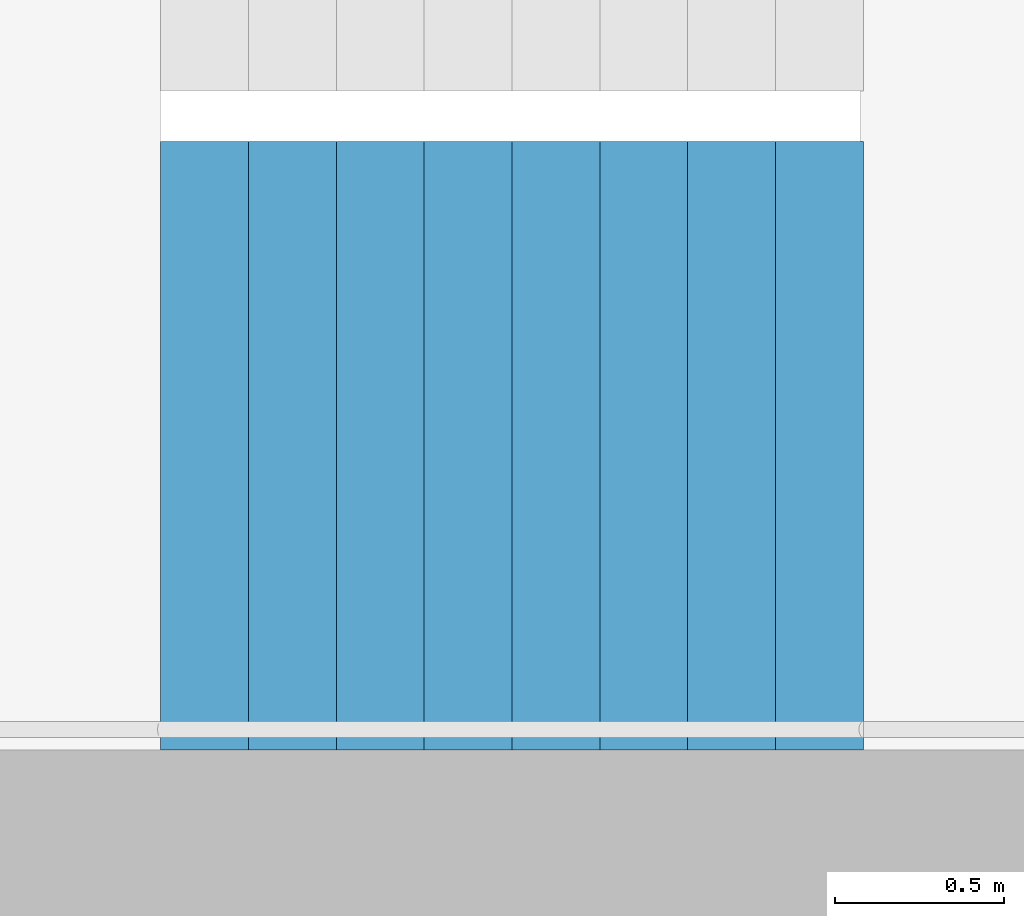
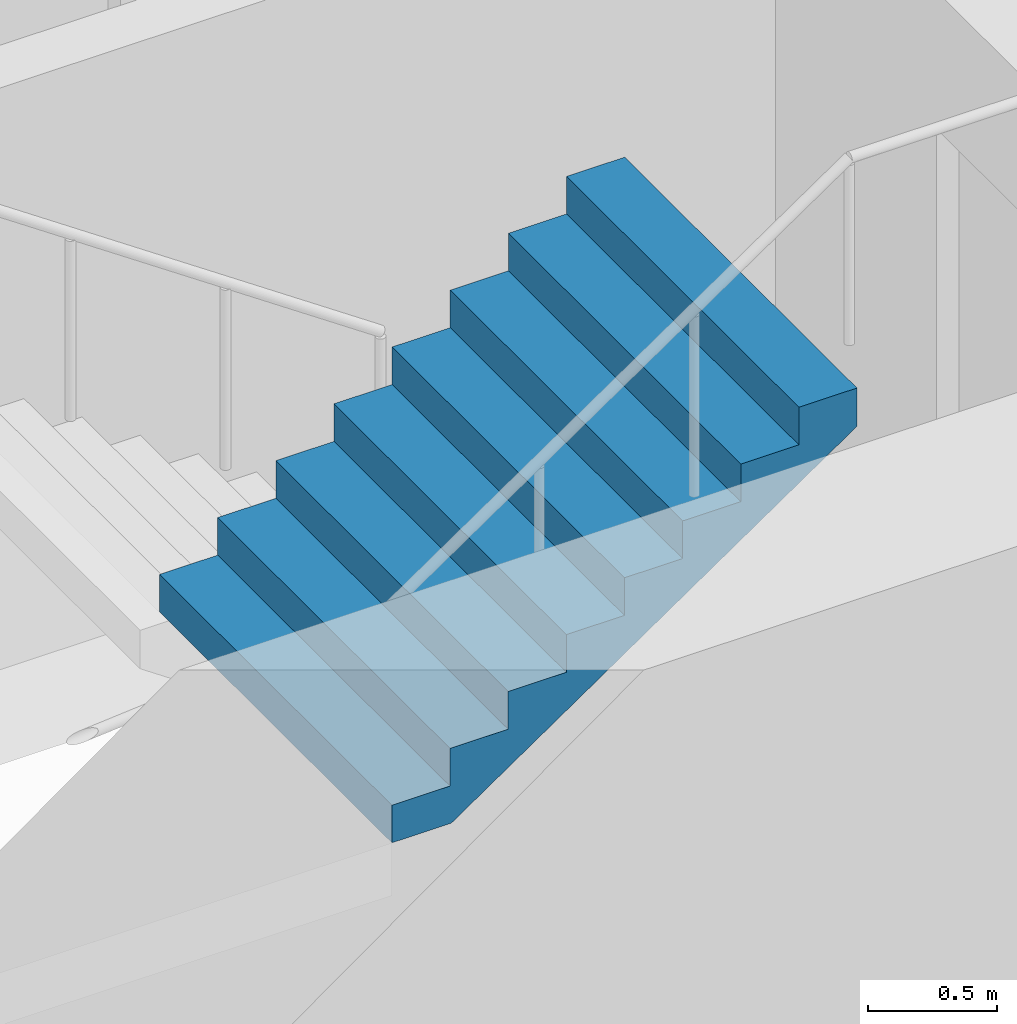
# One storey, part 18 of 26: 1 stair flight, 1 element without a shape of its own.
"""IFC4 building model written with IfcOpenShell, lengths in metres."""

from ifc_helpers import new_model, si_unit, direction, frame, origin, place, context, subcontext, project, spatial, triangles, material, type_object, element, aggregate, save


model = new_model("IFC4")

# Units and contexts
model_context = context("Model", 3, precision=1e-05, world=origin(), true_north=direction((0.0, 1.0)))
body_context = subcontext(model_context, "Body", "Model", "MODEL_VIEW")
ifc_project = project(units=[si_unit("LENGTHUNIT", "METRE"), si_unit("AREAUNIT", "SQUARE_METRE"), si_unit("VOLUMEUNIT", "CUBIC_METRE"), si_unit("PLANEANGLEUNIT", "RADIAN"), si_unit("MASSUNIT", "GRAM", prefix="KILO")], contexts=[model_context])

# Site, building, storey
site_placement = place(None, origin())
site = spatial("IfcSite", under=ifc_project, at=site_placement, CompositionType="ELEMENT")
building_placement = place(site_placement, origin())
building = spatial("IfcBuilding", under=site, at=building_placement, Name="Hakoniwa Tower and Hamabe Station Hall", CompositionType="ELEMENT")
storey_placement = place(building_placement, frame((0.0, 0.0, 251.800048828125)))
storey = spatial("IfcBuildingStorey", under=building, at=storey_placement, Name="L71", CompositionType="ELEMENT", Elevation=251.800048828125)

# Stair, stair flight
ifc_material_1 = material(Name="Concrete C40", Category="concrete")
stair_type = type_object("IfcStairType", Name="ESCAPE STAIR 1800", PredefinedType="HALF_TURN_STAIR", material=ifc_material_1)
stair_placement = place(storey_placement, origin())
stair = element("IfcStair", 1, at=stair_placement, inside=storey, type_object=stair_type, Name="Escape stair ST-2 L71", PredefinedType="HALF_TURN_STAIR")
ifc_material_2 = material(Name="Concrete C40", Category="concrete")
stair_flight_type = type_object("IfcStairFlightType", Name="STAIR FLIGHT 1800", PredefinedType="STRAIGHT", material=ifc_material_2)
stair_flight_placement = place(storey_placement, frame((-25.47998046875, -6.60009765625, 1.599853515625), z_axis=(0.0, 0.0, 1.0), x_axis=(1.0, 0.0, 0.0)))
stair_flight = element("IfcStairFlight", 2, at=stair_flight_placement, type_object=stair_flight_type, Name="ST-2 flight 2", NumberOfRisers=9, NumberOfTreads=8, PredefinedType="STRAIGHT", RiserHeight=0.177777778, TreadLength=0.26, context=body_context, shape_type="Tessellation", body=[
    triangles([(0.0, 0.89990234375, 0.0), (0.260009765625, 0.89990234375, 0.0), (0.265625, 0.89990234375, 0.0), (0.52001953125, 0.89990234375, 0.174072265625), (0.780029296875, 0.89990234375, 0.351806640625), (1.0400390625, 0.89990234375, 0.529541015625), (1.300048828125, 0.89990234375, 0.707275390625), (1.56005859375, 0.89990234375, 0.885009765625), (1.820068359375, 0.89990234375, 1.062744140625), (2.080078125, 0.89990234375, 1.24072265625), (2.080078125, 0.89990234375, 1.422119140625), (1.820068359375, 0.89990234375, 1.422119140625), (1.820068359375, 0.89990234375, 1.244384765625), (1.56005859375, 0.89990234375, 1.244384765625), (1.56005859375, 0.89990234375, 1.066650390625), (1.300048828125, 0.89990234375, 1.066650390625), (1.300048828125, 0.89990234375, 0.888916015625), (1.0400390625, 0.89990234375, 0.888916015625), (1.0400390625, 0.89990234375, 0.711181640625), (0.780029296875, 0.89990234375, 0.711181640625), (0.780029296875, 0.89990234375, 0.533447265625), (0.52001953125, 0.89990234375, 0.533447265625), (0.52001953125, 0.89990234375, 0.35546875), (0.265625, 0.89990234375, 0.35546875), (0.260009765625, 0.89990234375, 0.35546875), (0.260009765625, 0.89990234375, 0.177734375), (0.0, 0.89990234375, 0.177734375), (0.0, 0.06005859375, 0.0), (0.260009765625, 0.06005859375, 0.0), (0.265625, 0.06005859375, 0.0), (0.52001953125, 0.06005859375, 0.174072265625), (0.780029296875, 0.06005859375, 0.351806640625), (1.0400390625, 0.06005859375, 0.529541015625), (1.300048828125, 0.06005859375, 0.707275390625), (1.56005859375, 0.06005859375, 0.885009765625), (1.820068359375, 0.06005859375, 1.062744140625), (2.080078125, 0.06005859375, 1.24072265625), (2.080078125, 0.06005859375, 1.422119140625), (1.820068359375, 0.06005859375, 1.422119140625), (1.820068359375, 0.06005859375, 1.244384765625), (1.56005859375, 0.06005859375, 1.244384765625), (1.56005859375, 0.06005859375, 1.066650390625), (1.300048828125, 0.06005859375, 1.066650390625), (1.300048828125, 0.06005859375, 0.888916015625), (1.0400390625, 0.06005859375, 0.888916015625), (1.0400390625, 0.06005859375, 0.711181640625), (0.780029296875, 0.06005859375, 0.711181640625), (0.780029296875, 0.06005859375, 0.533447265625), (0.52001953125, 0.06005859375, 0.533447265625), (0.52001953125, 0.06005859375, 0.35546875), (0.265625, 0.06005859375, 0.35546875), (0.260009765625, 0.06005859375, 0.35546875), (0.260009765625, 0.06005859375, 0.177734375), (0.0, 0.06005859375, 0.177734375), (0.0, 0.04296875, 0.0), (0.260009765625, 0.04296875, 0.0), (0.265625, 0.04296875, 0.0), (0.52001953125, 0.04296875, 0.174072265625), (0.780029296875, 0.04296875, 0.351806640625), (1.0400390625, 0.04296875, 0.529541015625), (1.300048828125, 0.04296875, 0.707275390625), (1.56005859375, 0.04296875, 0.885009765625), (1.820068359375, 0.04296875, 1.062744140625), (2.080078125, 0.04296875, 1.24072265625), (2.080078125, 0.04296875, 1.422119140625), (1.820068359375, 0.04296875, 1.422119140625), (1.820068359375, 0.04296875, 1.244384765625), (1.56005859375, 0.04296875, 1.244384765625), (1.56005859375, 0.04296875, 1.066650390625), (1.300048828125, 0.04296875, 1.066650390625), (1.300048828125, 0.04296875, 0.888916015625), (1.0400390625, 0.04296875, 0.888916015625), (1.0400390625, 0.04296875, 0.711181640625), (0.780029296875, 0.04296875, 0.711181640625), (0.780029296875, 0.04296875, 0.533447265625), (0.52001953125, 0.04296875, 0.533447265625), (0.52001953125, 0.04296875, 0.35546875), (0.265625, 0.04296875, 0.35546875), (0.260009765625, 0.04296875, 0.35546875), (0.260009765625, 0.04296875, 0.177734375), (0.0, 0.04296875, 0.177734375), (0.0, 0.025634765625, 0.0), (0.260009765625, 0.025634765625, 0.0), (0.265625, 0.025634765625, 0.0), (0.52001953125, 0.025634765625, 0.174072265625), (0.780029296875, 0.025634765625, 0.351806640625), (1.0400390625, 0.025634765625, 0.529541015625), (1.300048828125, 0.025634765625, 0.707275390625), (1.56005859375, 0.025634765625, 0.885009765625), (1.820068359375, 0.025634765625, 1.062744140625), (2.080078125, 0.025634765625, 1.24072265625), (2.080078125, 0.025634765625, 1.422119140625), (1.820068359375, 0.025634765625, 1.422119140625), (1.820068359375, 0.025634765625, 1.244384765625), (1.56005859375, 0.025634765625, 1.244384765625), (1.56005859375, 0.025634765625, 1.066650390625), (1.300048828125, 0.025634765625, 1.066650390625), (1.300048828125, 0.025634765625, 0.888916015625), (1.0400390625, 0.025634765625, 0.888916015625), (1.0400390625, 0.025634765625, 0.711181640625), (0.780029296875, 0.025634765625, 0.711181640625), (0.780029296875, 0.025634765625, 0.533447265625), (0.52001953125, 0.025634765625, 0.533447265625), (0.52001953125, 0.025634765625, 0.35546875), (0.265625, 0.025634765625, 0.35546875), (0.260009765625, 0.025634765625, 0.35546875), (0.260009765625, 0.025634765625, 0.177734375), (0.0, 0.025634765625, 0.177734375), (0.0, 0.008544921875, 0.0), (0.260009765625, 0.008544921875, 0.0), (0.265625, 0.008544921875, 0.0), (0.52001953125, 0.008544921875, 0.174072265625), (0.780029296875, 0.008544921875, 0.351806640625), (1.0400390625, 0.008544921875, 0.529541015625), (1.300048828125, 0.008544921875, 0.707275390625), (1.56005859375, 0.008544921875, 0.885009765625), (1.820068359375, 0.008544921875, 1.062744140625), (2.080078125, 0.008544921875, 1.24072265625), (2.080078125, 0.008544921875, 1.422119140625), (1.820068359375, 0.008544921875, 1.422119140625), (1.820068359375, 0.008544921875, 1.244384765625), (1.56005859375, 0.008544921875, 1.244384765625), (1.56005859375, 0.008544921875, 1.066650390625), (1.300048828125, 0.008544921875, 1.066650390625), (1.300048828125, 0.008544921875, 0.888916015625), (1.0400390625, 0.008544921875, 0.888916015625), (1.0400390625, 0.008544921875, 0.711181640625), (0.780029296875, 0.008544921875, 0.711181640625), (0.780029296875, 0.008544921875, 0.533447265625), (0.52001953125, 0.008544921875, 0.533447265625), (0.52001953125, 0.008544921875, 0.35546875), (0.265625, 0.008544921875, 0.35546875), (0.260009765625, 0.008544921875, 0.35546875), (0.260009765625, 0.008544921875, 0.177734375), (0.0, 0.008544921875, 0.177734375), (0.0, -0.008544921875, 0.0), (0.260009765625, -0.008544921875, 0.0), (0.265625, -0.008544921875, 0.0), (0.52001953125, -0.008544921875, 0.174072265625), (0.780029296875, -0.008544921875, 0.351806640625), (1.0400390625, -0.008544921875, 0.529541015625), (1.300048828125, -0.008544921875, 0.707275390625), (1.56005859375, -0.008544921875, 0.885009765625), (1.820068359375, -0.008544921875, 1.062744140625), (2.080078125, -0.008544921875, 1.24072265625), (2.080078125, -0.008544921875, 1.422119140625), (1.820068359375, -0.008544921875, 1.422119140625), (1.820068359375, -0.008544921875, 1.244384765625), (1.56005859375, -0.008544921875, 1.244384765625), (1.56005859375, -0.008544921875, 1.066650390625), (1.300048828125, -0.008544921875, 1.066650390625), (1.300048828125, -0.008544921875, 0.888916015625), (1.0400390625, -0.008544921875, 0.888916015625), (1.0400390625, -0.008544921875, 0.711181640625), (0.780029296875, -0.008544921875, 0.711181640625), (0.780029296875, -0.008544921875, 0.533447265625), (0.52001953125, -0.008544921875, 0.533447265625), (0.52001953125, -0.008544921875, 0.35546875), (0.265625, -0.008544921875, 0.35546875), (0.260009765625, -0.008544921875, 0.35546875), (0.260009765625, -0.008544921875, 0.177734375), (0.0, -0.008544921875, 0.177734375), (0.0, -0.025634765625, 0.0), (0.260009765625, -0.025634765625, 0.0), (0.265625, -0.025634765625, 0.0), (0.52001953125, -0.025634765625, 0.174072265625), (0.780029296875, -0.025634765625, 0.351806640625), (1.0400390625, -0.025634765625, 0.529541015625), (1.300048828125, -0.025634765625, 0.707275390625), (1.56005859375, -0.025634765625, 0.885009765625), (1.820068359375, -0.025634765625, 1.062744140625), (2.080078125, -0.025634765625, 1.24072265625), (2.080078125, -0.025634765625, 1.422119140625), (1.820068359375, -0.025634765625, 1.422119140625), (1.820068359375, -0.025634765625, 1.244384765625), (1.56005859375, -0.025634765625, 1.244384765625), (1.56005859375, -0.025634765625, 1.066650390625), (1.300048828125, -0.025634765625, 1.066650390625), (1.300048828125, -0.025634765625, 0.888916015625), (1.0400390625, -0.025634765625, 0.888916015625), (1.0400390625, -0.025634765625, 0.711181640625), (0.780029296875, -0.025634765625, 0.711181640625), (0.780029296875, -0.025634765625, 0.533447265625), (0.52001953125, -0.025634765625, 0.533447265625), (0.52001953125, -0.025634765625, 0.35546875), (0.265625, -0.025634765625, 0.35546875), (0.260009765625, -0.025634765625, 0.35546875), (0.260009765625, -0.025634765625, 0.177734375), (0.0, -0.025634765625, 0.177734375), (0.0, -0.04296875, 0.0), (0.260009765625, -0.04296875, 0.0), (0.265625, -0.04296875, 0.0), (0.52001953125, -0.04296875, 0.174072265625), (0.780029296875, -0.04296875, 0.351806640625), (1.0400390625, -0.04296875, 0.529541015625), (1.300048828125, -0.04296875, 0.707275390625), (1.56005859375, -0.04296875, 0.885009765625), (1.820068359375, -0.04296875, 1.062744140625), (2.080078125, -0.04296875, 1.24072265625), (2.080078125, -0.04296875, 1.422119140625), (1.820068359375, -0.04296875, 1.422119140625), (1.820068359375, -0.04296875, 1.244384765625), (1.56005859375, -0.04296875, 1.244384765625), (1.56005859375, -0.04296875, 1.066650390625), (1.300048828125, -0.04296875, 1.066650390625), (1.300048828125, -0.04296875, 0.888916015625), (1.0400390625, -0.04296875, 0.888916015625), (1.0400390625, -0.04296875, 0.711181640625), (0.780029296875, -0.04296875, 0.711181640625), (0.780029296875, -0.04296875, 0.533447265625), (0.52001953125, -0.04296875, 0.533447265625), (0.52001953125, -0.04296875, 0.35546875), (0.265625, -0.04296875, 0.35546875), (0.260009765625, -0.04296875, 0.35546875), (0.260009765625, -0.04296875, 0.177734375), (0.0, -0.04296875, 0.177734375), (0.0, -0.06005859375, 0.0), (0.260009765625, -0.06005859375, 0.0), (0.265625, -0.06005859375, 0.0), (0.52001953125, -0.06005859375, 0.174072265625), (0.780029296875, -0.06005859375, 0.351806640625), (1.0400390625, -0.06005859375, 0.529541015625), (1.300048828125, -0.06005859375, 0.707275390625), (1.56005859375, -0.06005859375, 0.885009765625), (1.820068359375, -0.06005859375, 1.062744140625), (2.080078125, -0.06005859375, 1.24072265625), (2.080078125, -0.06005859375, 1.422119140625), (1.820068359375, -0.06005859375, 1.422119140625), (1.820068359375, -0.06005859375, 1.244384765625), (1.56005859375, -0.06005859375, 1.244384765625), (1.56005859375, -0.06005859375, 1.066650390625), (1.300048828125, -0.06005859375, 1.066650390625), (1.300048828125, -0.06005859375, 0.888916015625), (1.0400390625, -0.06005859375, 0.888916015625), (1.0400390625, -0.06005859375, 0.711181640625), (0.780029296875, -0.06005859375, 0.711181640625), (0.780029296875, -0.06005859375, 0.533447265625), (0.52001953125, -0.06005859375, 0.533447265625), (0.52001953125, -0.06005859375, 0.35546875), (0.265625, -0.06005859375, 0.35546875), (0.260009765625, -0.06005859375, 0.35546875), (0.260009765625, -0.06005859375, 0.177734375), (0.0, -0.06005859375, 0.177734375), (0.0, -0.89990234375, 0.0), (0.260009765625, -0.89990234375, 0.0), (0.265625, -0.89990234375, 0.0), (0.52001953125, -0.89990234375, 0.174072265625), (0.780029296875, -0.89990234375, 0.351806640625), (1.0400390625, -0.89990234375, 0.529541015625), (1.300048828125, -0.89990234375, 0.707275390625), (1.56005859375, -0.89990234375, 0.885009765625), (1.820068359375, -0.89990234375, 1.062744140625), (2.080078125, -0.89990234375, 1.24072265625), (2.080078125, -0.89990234375, 1.422119140625), (1.820068359375, -0.89990234375, 1.422119140625), (1.820068359375, -0.89990234375, 1.244384765625), (1.56005859375, -0.89990234375, 1.244384765625), (1.56005859375, -0.89990234375, 1.066650390625), (1.300048828125, -0.89990234375, 1.066650390625), (1.300048828125, -0.89990234375, 0.888916015625), (1.0400390625, -0.89990234375, 0.888916015625), (1.0400390625, -0.89990234375, 0.711181640625), (0.780029296875, -0.89990234375, 0.711181640625), (0.780029296875, -0.89990234375, 0.533447265625), (0.52001953125, -0.89990234375, 0.533447265625), (0.52001953125, -0.89990234375, 0.35546875), (0.265625, -0.89990234375, 0.35546875), (0.260009765625, -0.89990234375, 0.35546875), (0.260009765625, -0.89990234375, 0.177734375), (0.0, -0.89990234375, 0.177734375)], [[2, 27, 26], [245, 269, 270], [2, 1, 27], [245, 270, 244], [3, 25, 24], [246, 267, 268], [3, 26, 25], [246, 268, 269], [3, 2, 26], [246, 269, 245], [4, 24, 23], [247, 266, 267], [4, 3, 24], [247, 267, 246], [5, 22, 21], [248, 264, 265], [5, 23, 22], [248, 265, 266], [5, 4, 23], [248, 266, 247], [6, 20, 19], [249, 262, 263], [6, 21, 20], [249, 263, 264], [6, 5, 21], [249, 264, 248], [7, 18, 17], [250, 260, 261], [7, 19, 18], [250, 261, 262], [7, 6, 19], [250, 262, 249], [8, 16, 15], [251, 258, 259], [8, 17, 16], [251, 259, 260], [8, 7, 17], [251, 260, 250], [9, 14, 13], [252, 256, 257], [9, 15, 14], [252, 257, 258], [9, 8, 15], [252, 258, 251], [10, 12, 11], [253, 254, 255], [10, 13, 12], [253, 255, 256], [10, 9, 13], [253, 256, 252], [1, 2, 29], [1, 29, 28], [28, 29, 56], [28, 56, 55], [55, 56, 83], [55, 83, 82], [82, 83, 110], [82, 110, 109], [109, 110, 137], [109, 137, 136], [136, 137, 164], [136, 164, 163], [163, 164, 191], [163, 191, 190], [190, 191, 218], [190, 218, 217], [217, 218, 245], [217, 245, 244], [2, 3, 30], [2, 30, 29], [29, 30, 57], [29, 57, 56], [56, 57, 84], [56, 84, 83], [83, 84, 111], [83, 111, 110], [110, 111, 138], [110, 138, 137], [137, 138, 165], [137, 165, 164], [164, 165, 192], [164, 192, 191], [191, 192, 219], [191, 219, 218], [218, 219, 246], [218, 246, 245], [3, 4, 31], [3, 31, 30], [30, 31, 58], [30, 58, 57], [57, 58, 85], [57, 85, 84], [84, 85, 112], [84, 112, 111], [111, 112, 139], [111, 139, 138], [138, 139, 166], [138, 166, 165], [165, 166, 193], [165, 193, 192], [192, 193, 220], [192, 220, 219], [219, 220, 247], [219, 247, 246], [4, 5, 32], [4, 32, 31], [31, 32, 59], [31, 59, 58], [58, 59, 86], [58, 86, 85], [85, 86, 113], [85, 113, 112], [112, 113, 140], [112, 140, 139], [139, 140, 167], [139, 167, 166], [166, 167, 194], [166, 194, 193], [193, 194, 221], [193, 221, 220], [220, 221, 248], [220, 248, 247], [5, 6, 33], [5, 33, 32], [32, 33, 60], [32, 60, 59], [59, 60, 87], [59, 87, 86], [86, 87, 114], [86, 114, 113], [113, 114, 141], [113, 141, 140], [140, 141, 168], [140, 168, 167], [167, 168, 195], [167, 195, 194], [194, 195, 222], [194, 222, 221], [221, 222, 249], [221, 249, 248], [6, 7, 34], [6, 34, 33], [33, 34, 61], [33, 61, 60], [60, 61, 88], [60, 88, 87], [87, 88, 115], [87, 115, 114], [114, 115, 142], [114, 142, 141], [141, 142, 169], [141, 169, 168], [168, 169, 196], [168, 196, 195], [195, 196, 223], [195, 223, 222], [222, 223, 250], [222, 250, 249], [7, 8, 35], [7, 35, 34], [34, 35, 62], [34, 62, 61], [61, 62, 89], [61, 89, 88], [88, 89, 116], [88, 116, 115], [115, 116, 143], [115, 143, 142], [142, 143, 170], [142, 170, 169], [169, 170, 197], [169, 197, 196], [196, 197, 224], [196, 224, 223], [223, 224, 251], [223, 251, 250], [8, 9, 36], [8, 36, 35], [35, 36, 63], [35, 63, 62], [62, 63, 90], [62, 90, 89], [89, 90, 117], [89, 117, 116], [116, 117, 144], [116, 144, 143], [143, 144, 171], [143, 171, 170], [170, 171, 198], [170, 198, 197], [197, 198, 225], [197, 225, 224], [224, 225, 252], [224, 252, 251], [9, 10, 37], [9, 37, 36], [36, 37, 64], [36, 64, 63], [63, 64, 91], [63, 91, 90], [90, 91, 118], [90, 118, 117], [117, 118, 145], [117, 145, 144], [144, 145, 172], [144, 172, 171], [171, 172, 199], [171, 199, 198], [198, 199, 226], [198, 226, 225], [225, 226, 253], [225, 253, 252], [10, 11, 38], [10, 38, 37], [37, 38, 65], [37, 65, 64], [64, 65, 92], [64, 92, 91], [91, 92, 119], [91, 119, 118], [118, 119, 146], [118, 146, 145], [145, 146, 173], [145, 173, 172], [172, 173, 200], [172, 200, 199], [199, 200, 227], [199, 227, 226], [226, 227, 254], [226, 254, 253], [11, 12, 39], [11, 39, 38], [38, 39, 66], [38, 66, 65], [65, 66, 93], [65, 93, 92], [92, 93, 120], [92, 120, 119], [119, 120, 147], [119, 147, 146], [146, 147, 174], [146, 174, 173], [173, 174, 201], [173, 201, 200], [200, 201, 228], [200, 228, 227], [227, 228, 255], [227, 255, 254], [12, 13, 40], [12, 40, 39], [39, 40, 67], [39, 67, 66], [66, 67, 94], [66, 94, 93], [93, 94, 121], [93, 121, 120], [120, 121, 148], [120, 148, 147], [147, 148, 175], [147, 175, 174], [174, 175, 202], [174, 202, 201], [201, 202, 229], [201, 229, 228], [228, 229, 256], [228, 256, 255], [13, 14, 41], [13, 41, 40], [40, 41, 68], [40, 68, 67], [67, 68, 95], [67, 95, 94], [94, 95, 122], [94, 122, 121], [121, 122, 149], [121, 149, 148], [148, 149, 176], [148, 176, 175], [175, 176, 203], [175, 203, 202], [202, 203, 230], [202, 230, 229], [229, 230, 257], [229, 257, 256], [14, 15, 42], [14, 42, 41], [41, 42, 69], [41, 69, 68], [68, 69, 96], [68, 96, 95], [95, 96, 123], [95, 123, 122], [122, 123, 150], [122, 150, 149], [149, 150, 177], [149, 177, 176], [176, 177, 204], [176, 204, 203], [203, 204, 231], [203, 231, 230], [230, 231, 258], [230, 258, 257], [15, 16, 43], [15, 43, 42], [42, 43, 70], [42, 70, 69], [69, 70, 97], [69, 97, 96], [96, 97, 124], [96, 124, 123], [123, 124, 151], [123, 151, 150], [150, 151, 178], [150, 178, 177], [177, 178, 205], [177, 205, 204], [204, 205, 232], [204, 232, 231], [231, 232, 259], [231, 259, 258], [16, 17, 44], [16, 44, 43], [43, 44, 71], [43, 71, 70], [70, 71, 98], [70, 98, 97], [97, 98, 125], [97, 125, 124], [124, 125, 152], [124, 152, 151], [151, 152, 179], [151, 179, 178], [178, 179, 206], [178, 206, 205], [205, 206, 233], [205, 233, 232], [232, 233, 260], [232, 260, 259], [17, 18, 45], [17, 45, 44], [44, 45, 72], [44, 72, 71], [71, 72, 99], [71, 99, 98], [98, 99, 126], [98, 126, 125], [125, 126, 153], [125, 153, 152], [152, 153, 180], [152, 180, 179], [179, 180, 207], [179, 207, 206], [206, 207, 234], [206, 234, 233], [233, 234, 261], [233, 261, 260], [18, 19, 46], [18, 46, 45], [45, 46, 73], [45, 73, 72], [72, 73, 100], [72, 100, 99], [99, 100, 127], [99, 127, 126], [126, 127, 154], [126, 154, 153], [153, 154, 181], [153, 181, 180], [180, 181, 208], [180, 208, 207], [207, 208, 235], [207, 235, 234], [234, 235, 262], [234, 262, 261], [19, 20, 47], [19, 47, 46], [46, 47, 74], [46, 74, 73], [73, 74, 101], [73, 101, 100], [100, 101, 128], [100, 128, 127], [127, 128, 155], [127, 155, 154], [154, 155, 182], [154, 182, 181], [181, 182, 209], [181, 209, 208], [208, 209, 236], [208, 236, 235], [235, 236, 263], [235, 263, 262], [20, 21, 48], [20, 48, 47], [47, 48, 75], [47, 75, 74], [74, 75, 102], [74, 102, 101], [101, 102, 129], [101, 129, 128], [128, 129, 156], [128, 156, 155], [155, 156, 183], [155, 183, 182], [182, 183, 210], [182, 210, 209], [209, 210, 237], [209, 237, 236], [236, 237, 264], [236, 264, 263], [21, 22, 49], [21, 49, 48], [48, 49, 76], [48, 76, 75], [75, 76, 103], [75, 103, 102], [102, 103, 130], [102, 130, 129], [129, 130, 157], [129, 157, 156], [156, 157, 184], [156, 184, 183], [183, 184, 211], [183, 211, 210], [210, 211, 238], [210, 238, 237], [237, 238, 265], [237, 265, 264], [22, 23, 50], [22, 50, 49], [49, 50, 77], [49, 77, 76], [76, 77, 104], [76, 104, 103], [103, 104, 131], [103, 131, 130], [130, 131, 158], [130, 158, 157], [157, 158, 185], [157, 185, 184], [184, 185, 212], [184, 212, 211], [211, 212, 239], [211, 239, 238], [238, 239, 266], [238, 266, 265], [23, 24, 51], [23, 51, 50], [50, 51, 78], [50, 78, 77], [77, 78, 105], [77, 105, 104], [104, 105, 132], [104, 132, 131], [131, 132, 159], [131, 159, 158], [158, 159, 186], [158, 186, 185], [185, 186, 213], [185, 213, 212], [212, 213, 240], [212, 240, 239], [239, 240, 267], [239, 267, 266], [24, 25, 52], [24, 52, 51], [51, 52, 79], [51, 79, 78], [78, 79, 106], [78, 106, 105], [105, 106, 133], [105, 133, 132], [132, 133, 160], [132, 160, 159], [159, 160, 187], [159, 187, 186], [186, 187, 214], [186, 214, 213], [213, 214, 241], [213, 241, 240], [240, 241, 268], [240, 268, 267], [25, 26, 53], [25, 53, 52], [52, 53, 80], [52, 80, 79], [79, 80, 107], [79, 107, 106], [106, 107, 134], [106, 134, 133], [133, 134, 161], [133, 161, 160], [160, 161, 188], [160, 188, 187], [187, 188, 215], [187, 215, 214], [214, 215, 242], [214, 242, 241], [241, 242, 269], [241, 269, 268], [26, 27, 54], [26, 54, 53], [53, 54, 81], [53, 81, 80], [80, 81, 108], [80, 108, 107], [107, 108, 135], [107, 135, 134], [134, 135, 162], [134, 162, 161], [161, 162, 189], [161, 189, 188], [188, 189, 216], [188, 216, 215], [215, 216, 243], [215, 243, 242], [242, 243, 270], [242, 270, 269], [27, 1, 28], [27, 28, 54], [54, 28, 55], [54, 55, 81], [81, 55, 82], [81, 82, 108], [108, 82, 109], [108, 109, 135], [135, 109, 136], [135, 136, 162], [162, 136, 163], [162, 163, 189], [189, 163, 190], [189, 190, 216], [216, 190, 217], [216, 217, 243], [243, 217, 244], [243, 244, 270]], closed=True),
])
aggregate(stair, [stair_flight])

save(model, "model.ifc")
